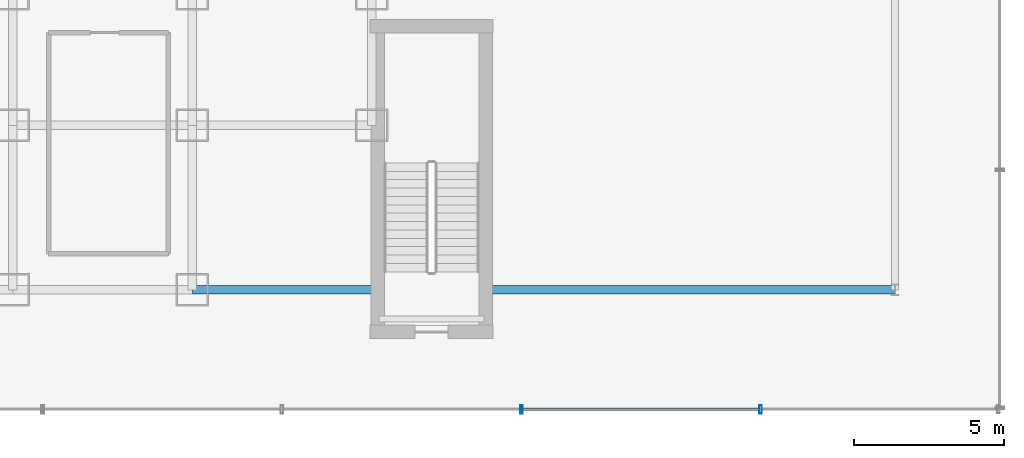
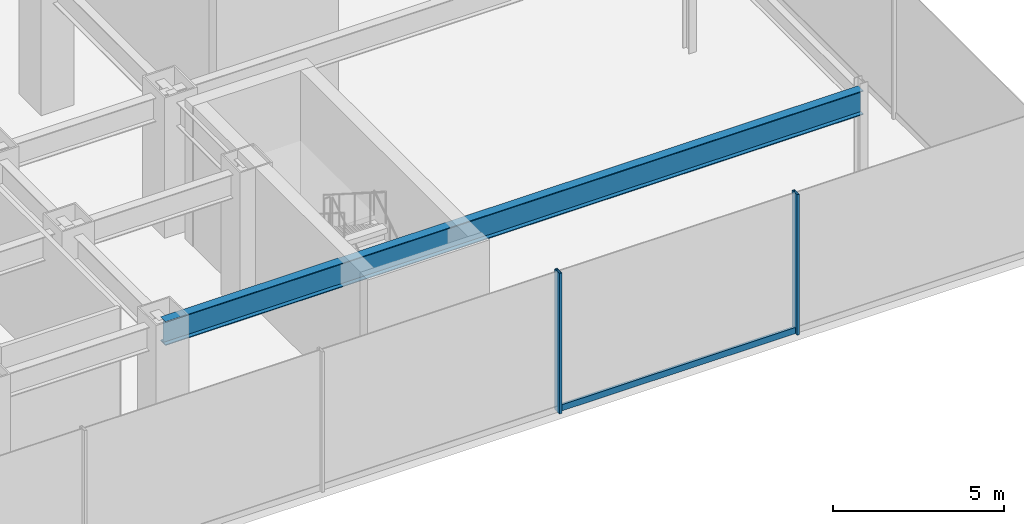
# One storey, part 19 of 39: 3 members, 1 beam, 1 element without a shape of its own.
"""IFC4 building model written with IfcOpenShell, lengths in metres."""

from ifc_helpers import new_model, si_unit, derived_unit, direction, frame, origin, origin_2d, place, context, subcontext, project, spatial, hollow_rectangle, i_section, extrude, source, transform, mapped, material, material_profile, profile_set, type_object, element, aggregate, save


model = new_model("IFC4")

# Units and contexts
model_context = context("Model", 3, precision=1e-05, world=origin(), true_north=direction((0.0, 1.0)))
body_context = subcontext(model_context, "Body", "Model", "MODEL_VIEW")
ifc_project = project(units=[si_unit("LENGTHUNIT", "METRE"), si_unit("AREAUNIT", "SQUARE_METRE"), si_unit("VOLUMEUNIT", "CUBIC_METRE"), si_unit("PLANEANGLEUNIT", "RADIAN"), si_unit("MASSUNIT", "GRAM", prefix="KILO"), derived_unit("THERMALTRANSMITTANCEUNIT", [(si_unit("POWERUNIT", "WATT"), 1), (si_unit("LENGTHUNIT", "METRE"), -2), (si_unit("THERMODYNAMICTEMPERATUREUNIT", "KELVIN"), -1)])], contexts=[model_context])

# Site, building, storey
site_placement = place(None, origin())
site = spatial("IfcSite", under=ifc_project, at=site_placement, CompositionType="ELEMENT")
building_placement = place(site_placement, origin())
building = spatial("IfcBuilding", under=site, at=building_placement, Name="Skarnbrae Concourse Arena and Tower", CompositionType="ELEMENT")
storey_placement = place(building_placement, frame((0.0, 0.0, 11.0)))
storey = spatial("IfcBuildingStorey", under=building, at=storey_placement, Name="L02", CompositionType="ELEMENT", Elevation=11.0)

# Beam
ifc_material_1 = material(Name="Steel CSA G40.21 350W", Category="steel")
ifc_material_profile_1 = material_profile(ifc_material_1, i_section(OverallWidth=0.2939453125, OverallDepth=0.85107421875, WebThickness=0.01611328125, FlangeThickness=0.02685546875, at=origin_2d()), Name="W840X226")
ifc_profile_set_1 = profile_set([ifc_material_profile_1], Name="Steel CSA G40.21 350W")
beam_type = type_object("IfcBeamType", Name="BM-GIRD-W840X226", PredefinedType="BEAM", material=ifc_profile_set_1)
shared_shape_1 = source(origin(), body_context, "Body", "SweptSolid", [
    extrude(i_section(OverallWidth=0.2939453125, OverallDepth=0.85107421875, WebThickness=0.01611328125, FlangeThickness=0.02685546875, at=origin_2d()), origin(), (0.0, 0.0, 1.0), 23.5),
])
beam_placement = place(storey_placement, frame((55.0, 4.0, 4.2744140625), z_axis=(1.0, 0.0, 0.0), x_axis=(0.0, 1.0, 0.0)))
element("IfcBeam", 1, at=beam_placement, inside=storey, type_object=beam_type, Name="L02 South-east girder 4", PredefinedType="BEAM", context=body_context, shape_type="MappedRepresentation", body=[
    mapped(shared_shape_1, transform((0.0, 0.0, 0.0))),
])

# Curtain wall, members
ifc_material_2 = material(Name="Bronze anodised aluminium 6063-T6", Category="aluminium")
curtain_wall_type = type_object("IfcCurtainWallType", Name="CW-SYS-01-PODIUM", PredefinedType="USERDEFINED", material=ifc_material_2)
curtain_wall_placement = place(storey_placement, origin())
curtain_wall = element("IfcCurtainWall", 2, at=curtain_wall_placement, inside=storey, type_object=curtain_wall_type, Name="L02 Unitised curtain wall CW-L02-SE", ObjectType="UNITISED CURTAIN WALL", PredefinedType="USERDEFINED")
ifc_material_profile_2 = material_profile(ifc_material_2, hollow_rectangle(XDim=0.0849609375, YDim=0.280029296875, WallThickness=0.006103515625, at=origin_2d()), Name="ALU-MULL-85X280")
ifc_profile_set_2 = profile_set([ifc_material_profile_2], Name="Bronze anodised aluminium 6063-T6")
member_type_1 = type_object("IfcMemberType", Name="CWM-CW-01", PredefinedType="MULLION", material=ifc_profile_set_2)
shared_shape_2 = source(origin(), body_context, "Body", "SweptSolid", [
    extrude(hollow_rectangle(XDim=0.0849609375, YDim=0.280029296875, WallThickness=0.006103515625, at=origin_2d()), origin(), (0.0, 0.0, 1.0), 5.0),
])
member_1_placement = place(storey_placement, frame((66.0, 0.0, 0.0), z_axis=(0.0, 0.0, 1.0), x_axis=(1.0, 0.0, 0.0)))
member_1 = element("IfcMember", 3, at=member_1_placement, type_object=member_type_1, Name="CW-L02-SE Mullion 5", PredefinedType="MULLION", context=body_context, shape_type="MappedRepresentation", body=[
    mapped(shared_shape_2, transform((0.0, 0.0, 0.0))),
])
member_2_placement = place(storey_placement, frame((74.0, 0.0, 0.0), z_axis=(0.0, 0.0, 1.0), x_axis=(1.0, 0.0, 0.0)))
member_2 = element("IfcMember", 4, at=member_2_placement, type_object=member_type_1, Name="CW-L02-SE Mullion 6", PredefinedType="MULLION", context=body_context, shape_type="MappedRepresentation", body=[
    mapped(shared_shape_2, transform((0.0, 0.0, 0.0))),
])
ifc_material_profile_3 = material_profile(ifc_material_2, hollow_rectangle(XDim=0.0849609375, YDim=0.219970703125, WallThickness=0.006103515625, at=origin_2d()), Name="ALU-TRAN-85X220")
ifc_profile_set_3 = profile_set([ifc_material_profile_3], Name="Bronze anodised aluminium 6063-T6")
member_type_2 = type_object("IfcMemberType", Name="CWT-CW-01", PredefinedType="USERDEFINED", material=ifc_profile_set_3)
shared_shape_3 = source(origin(), body_context, "Body", "SweptSolid", [
    extrude(hollow_rectangle(XDim=0.0849609375, YDim=0.219970703125, WallThickness=0.006103515625, at=origin_2d()), origin(), (0.0, 0.0, 1.0), 7.9150390625),
])
member_3_placement = place(storey_placement, frame((66.04248046875, 0.0, 0.110107421875), z_axis=(1.0, 0.0, 0.0), x_axis=(0.0, 1.0, 0.0)))
member_3 = element("IfcMember", 5, at=member_3_placement, type_object=member_type_2, Name="CW-L02-SE Transom 5", ObjectType="TRANSOM", PredefinedType="USERDEFINED", context=body_context, shape_type="MappedRepresentation", body=[
    mapped(shared_shape_3, transform((0.0, 0.0, 0.0))),
])
aggregate(curtain_wall, [member_1, member_2, member_3])

save(model, "model.ifc")
